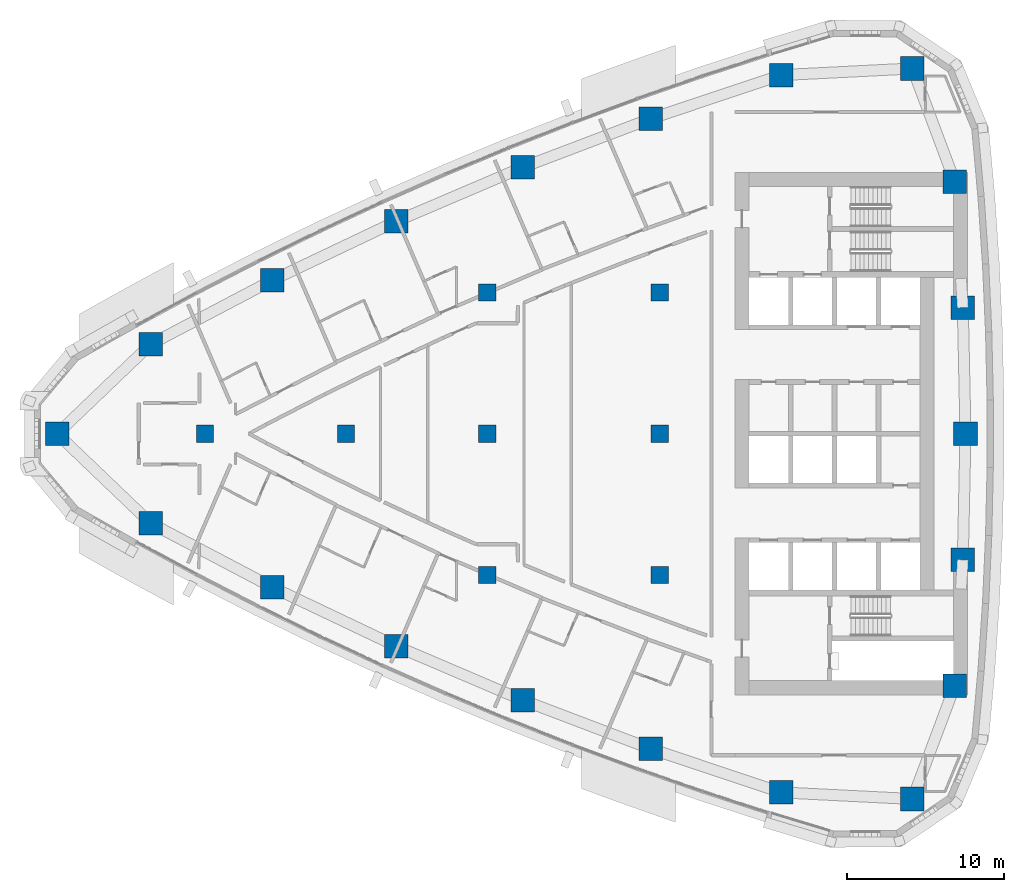
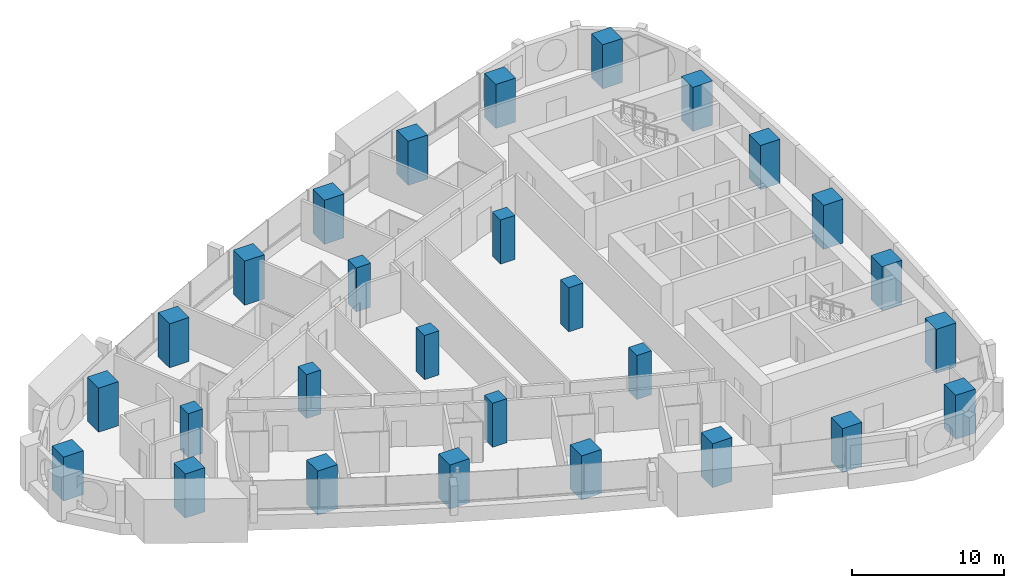
# One storey, part 1 of 17: 28 columns.
"""IFC4 building model written with IfcOpenShell, lengths in metres."""

from ifc_helpers import new_model, si_unit, direction, frame, origin, origin_2d, place, context, subcontext, project, spatial, rectangle, extrude, material, material_profile, profile_set, type_object, element, save


model = new_model("IFC4")

# Units and contexts
model_context = context("Model", 3, precision=1e-05, world=origin(), true_north=direction((0.0, 1.0)))
body_context = subcontext(model_context, "Body", "Model", "MODEL_VIEW")
ifc_project = project(units=[si_unit("LENGTHUNIT", "METRE"), si_unit("AREAUNIT", "SQUARE_METRE"), si_unit("VOLUMEUNIT", "CUBIC_METRE"), si_unit("PLANEANGLEUNIT", "RADIAN"), si_unit("MASSUNIT", "GRAM", prefix="KILO")], contexts=[model_context])

# Site, building, storey
site_placement = place(None, origin())
site = spatial("IfcSite", under=ifc_project, at=site_placement, CompositionType="ELEMENT")
building_placement = place(site_placement, origin())
building = spatial("IfcBuilding", under=site, at=building_placement, Name="Ostrand Prow Hotel Tower", CompositionType="ELEMENT")
storey_placement = place(building_placement, frame((0.0, 0.0, 144.39990234375)))
storey = spatial("IfcBuildingStorey", under=building, at=storey_placement, Name="L35", CompositionType="ELEMENT", Elevation=144.39990234375)

# Columns
ifc_material_1 = material(Name="Concrete C70/85", Category="concrete")
ifc_material_profile_1 = material_profile(ifc_material_1, rectangle(XDim=1.10009765625, YDim=1.10009765625, at=origin_2d()), Name="RC 1100x1100")
ifc_profile_set_1 = profile_set([ifc_material_profile_1], Name="Concrete C70/85")
column_type_1 = type_object("IfcColumnType", Name="Interior column 1100x1100 C70/85", PredefinedType="COLUMN", material=ifc_profile_set_1)
for number, where, z_axis, x_axis, name in (
    (1, (16.0, 0.0, 0.0), (0.0, 0.0, 1.0), (1.0, 0.0, 0.0), "Interior column 16C0"),
    (2, (25.0, 0.0, 0.0), (0.0, 0.0, 1.0), (1.0, 0.0, 0.0), "Interior column 25C0"),
    (3, (34.0, -9.0, 0.0), (0.0, 0.0, 1.0), (1.0, 0.0, 0.0), "Interior column 34S9"),
    (4, (34.0, 0.0, 0.0), (0.0, 0.0, 1.0), (1.0, 0.0, 0.0), "Interior column 34C0"),
    (5, (34.0, 9.0, 0.0), (0.0, 0.0, 1.0), (1.0, 0.0, 0.0), "Interior column 34N9"),
    (6, (45.0, -9.0, 0.0), (0.0, 0.0, 1.0), (1.0, 0.0, 0.0), "Interior column 45S9"),
    (7, (45.0, 0.0, 0.0), (0.0, 0.0, 1.0), (1.0, 0.0, 0.0), "Interior column 45C0"),
    (8, (45.0, 9.0, 0.0), (0.0, 0.0, 1.0), (1.0, 0.0, 0.0), "Interior column 45N9"),
):
    element("IfcColumn", number, at=place(storey_placement, frame(where, z_axis=z_axis, x_axis=x_axis)), inside=storey, type_object=column_type_1, Name=name, PredefinedType="COLUMN", context=body_context, shape_type="SweptSolid", body=[
        extrude(rectangle(XDim=1.10009765625, YDim=1.10009765625, at=origin_2d()), origin(), (0.0, 0.0, 1.0), 3.550048828125),
    ])
ifc_material_2 = material(Name="Concrete C70/85", Category="concrete")
ifc_material_profile_2 = material_profile(ifc_material_2, rectangle(XDim=1.5, YDim=1.5, at=origin_2d()), Name="RC 1500x1500")
ifc_profile_set_2 = profile_set([ifc_material_profile_2], Name="Concrete C70/85")
column_type_2 = type_object("IfcColumnType", Name="Stone-faced mega column 1500x1500 C70/85", PredefinedType="COLUMN", material=ifc_profile_set_2)
for number, where, z_axis, x_axis, name in (
    (9, (6.580078125, 0.0, 0.0), (0.0, 0.0, 1.0), (1.0, 0.0, 0.0), "Mega column P"),
    (10, (12.55322265625, -5.712646484375, 0.0), (0.0, 0.0, 1.0), (1.0, 0.0, 0.0), "Mega column S1"),
    (11, (20.300048828125, -9.787841796875, 0.0), (0.0, 0.0, 1.0), (1.0, 0.0, 0.0), "Mega column S2"),
    (12, (28.205078125, -13.547119140625, 0.0), (0.0, 0.0, 1.0), (1.0, 0.0, 0.0), "Mega column S3"),
    (13, (36.255615234375, -16.98388671875, 0.0), (0.0, 0.0, 1.0), (1.0, 0.0, 0.0), "Mega column S4"),
    (14, (44.438232421875, -20.093017578125, 0.0), (0.0, 0.0, 1.0), (1.0, 0.0, 0.0), "Mega column S5"),
    (15, (52.73974609375, -22.869140625, 0.0), (0.0, 0.0, 1.0), (1.0, 0.0, 0.0), "Mega column S6"),
    (16, (61.117431640625, -23.29052734375, 0.0), (0.0, 0.0, 1.0), (1.0, 0.0, 0.0), "Mega column SE"),
    (17, (63.818603515625, -16.074951171875, 0.0), (0.0, 0.0, 1.0), (1.0, 0.0, 0.0), "Mega column B1"),
    (18, (64.32958984375, -8.044677734375, 0.0), (0.0, 0.0, 1.0), (1.0, 0.0, 0.0), "Mega column B2"),
    (19, (64.5, 0.0, 0.0), (0.0, 0.0, 1.0), (1.0, 0.0, 0.0), "Mega column B3"),
    (20, (64.32958984375, 8.044677734375, 0.0), (0.0, 0.0, 1.0), (1.0, 0.0, 0.0), "Mega column B4"),
    (21, (63.818603515625, 16.074951171875, 0.0), (0.0, 0.0, 1.0), (1.0, 0.0, 0.0), "Mega column B5"),
    (22, (61.117431640625, 23.29052734375, 0.0), (0.0, 0.0, 1.0), (1.0, 0.0, 0.0), "Mega column NE"),
    (23, (52.73974609375, 22.869140625, 0.0), (0.0, 0.0, 1.0), (1.0, 0.0, 0.0), "Mega column N1"),
    (24, (44.438232421875, 20.093017578125, 0.0), (0.0, 0.0, 1.0), (1.0, 0.0, 0.0), "Mega column N2"),
    (25, (36.255615234375, 16.98388671875, 0.0), (0.0, 0.0, 1.0), (1.0, 0.0, 0.0), "Mega column N3"),
    (26, (28.205078125, 13.547119140625, 0.0), (0.0, 0.0, 1.0), (1.0, 0.0, 0.0), "Mega column N4"),
    (27, (20.300048828125, 9.787841796875, 0.0), (0.0, 0.0, 1.0), (1.0, 0.0, 0.0), "Mega column N5"),
    (28, (12.55322265625, 5.712646484375, 0.0), (0.0, 0.0, 1.0), (1.0, 0.0, 0.0), "Mega column N6"),
):
    element("IfcColumn", number, at=place(storey_placement, frame(where, z_axis=z_axis, x_axis=x_axis)), inside=storey, type_object=column_type_2, Name=name, PredefinedType="COLUMN", context=body_context, shape_type="SweptSolid", body=[
        extrude(rectangle(XDim=1.5, YDim=1.5, at=origin_2d()), origin(), (0.0, 0.0, 1.0), 3.550048828125),
    ])

save(model, "model.ifc")
